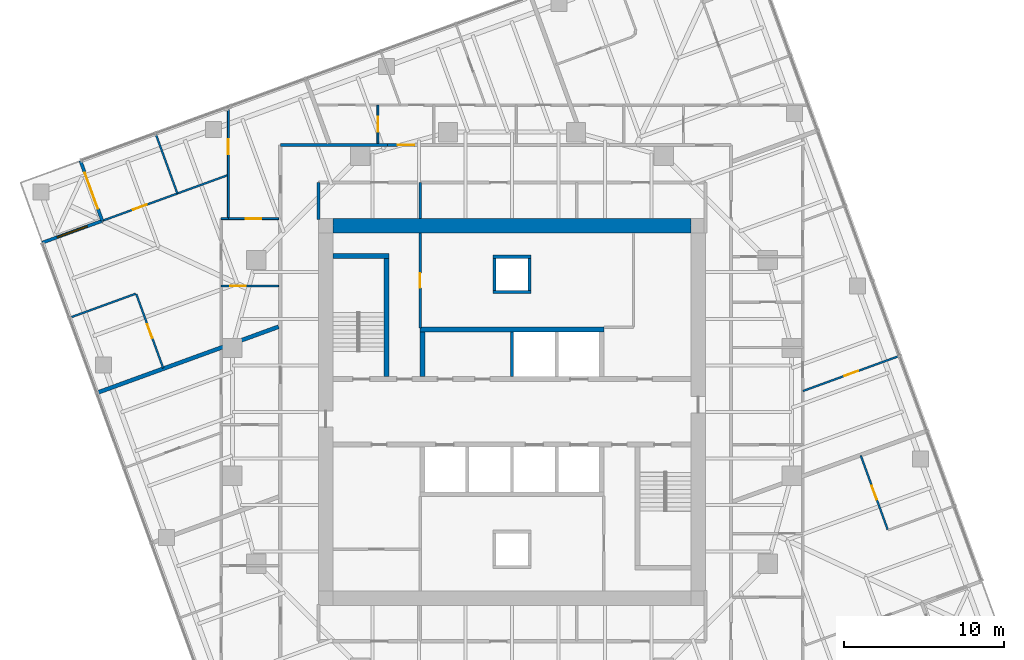
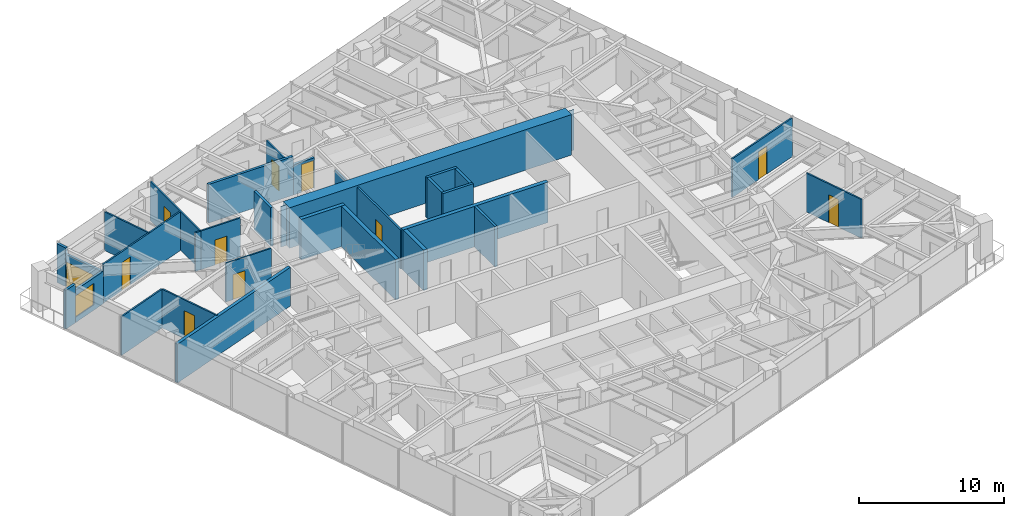
# One storey, part 10 of 13: 31 walls, 11 doors, 1 window, 12 openings.
"""IFC4 building model written with IfcOpenShell, lengths in metres."""

from ifc_helpers import new_model, si_unit, direction, frame, frame_2d, origin, place, context, subcontext, project, spatial, polyline, rectangle, outline, extrude, material, layer, layer_set, type_object, element, fill, save


model = new_model("IFC4")

# Units and contexts
model_context = context("Model", 3, precision=1e-05, world=origin(), true_north=direction((0.0, 1.0)))
body_context = subcontext(model_context, "Body", "Model", "MODEL_VIEW")
ifc_project = project(units=[si_unit("LENGTHUNIT", "METRE"), si_unit("AREAUNIT", "SQUARE_METRE"), si_unit("VOLUMEUNIT", "CUBIC_METRE"), si_unit("PLANEANGLEUNIT", "RADIAN"), si_unit("MASSUNIT", "GRAM", prefix="KILO")], contexts=[model_context])

# Site, building, storey
site_placement = place(None, origin())
site = spatial("IfcSite", under=ifc_project, at=site_placement, CompositionType="ELEMENT")
building_placement = place(site_placement, origin())
building = spatial("IfcBuilding", under=site, at=building_placement, Name="Torsade Residences", CompositionType="ELEMENT")
storey_placement = place(building_placement, frame((0.0, 0.0, 164.199951171875)))
storey = spatial("IfcBuildingStorey", under=building, at=storey_placement, Name="L45", CompositionType="ELEMENT", Elevation=164.199951171875)

# Walls
ifc_material_1 = material(Name="Concrete 80 MPa", Category="concrete")
ifc_layer_1 = layer(ifc_material_1, 0.300048828125)
ifc_layer_set_1 = layer_set([ifc_layer_1], Name="Concrete 80 MPa")
wall_type_1 = type_object("IfcWallType", Name="CORE INTERNAL WALL 300", PredefinedType="SHEAR", material=ifc_layer_set_1)
wall_1_placement = place(storey_placement, frame((34.25, 35.14990234375, 0.0), z_axis=(0.0, 0.0, 1.0), x_axis=(1.0, 0.0, 0.0)))
element("IfcWall", 1, at=wall_1_placement, inside=storey, type_object=wall_type_1, Name="Core wall BN L45", PredefinedType="SHEAR", context=body_context, shape_type="SweptSolid", body=[
    extrude(rectangle(XDim=11.5, YDim=0.300048828125, at=frame_2d((5.75, 0.0))), origin(), (0.0, 0.0, 1.0), 3.400146484375),
])
wall_2_placement = place(storey_placement, frame((34.39990234375, 32.199951171875, 0.0), z_axis=(0.0, 0.0, 1.0), x_axis=(0.0, 1.0, 0.0)))
element("IfcWall", 2, at=wall_2_placement, inside=storey, type_object=wall_type_1, Name="Core wall DN0 L45", PredefinedType="SHEAR", context=body_context, shape_type="SweptSolid", body=[
    extrude(rectangle(XDim=2.800048828125, YDim=0.300048828125, at=frame_2d((1.39990234375, 0.0))), origin(), (0.0, 0.0, 1.0), 3.400146484375),
])
wall_3_placement = place(storey_placement, frame((32.14990234375, 32.199951171875, 0.0), z_axis=(0.0, 0.0, 1.0), x_axis=(0.0, 1.0, 0.0)))
element("IfcWall", 3, at=wall_3_placement, inside=storey, type_object=wall_type_1, Name="Core wall ST1E L45", PredefinedType="SHEAR", context=body_context, shape_type="SweptSolid", body=[
    extrude(rectangle(XDim=7.699951171875, YDim=0.300048828125, at=frame_2d((3.85009765625, 0.0))), origin(), (0.0, 0.0, 1.0), 3.400146484375),
])
wall_4_placement = place(storey_placement, frame((28.800048828125, 39.75, 0.0), z_axis=(0.0, 0.0, 1.0), x_axis=(1.0, 0.0, 0.0)))
element("IfcWall", 4, at=wall_4_placement, inside=storey, type_object=wall_type_1, Name="Core wall ST1N L45", PredefinedType="SHEAR", context=body_context, shape_type="SweptSolid", body=[
    extrude(rectangle(XDim=3.5, YDim=0.300048828125, at=frame_2d((1.75, 0.0))), origin(), (0.0, 0.0, 1.0), 3.400146484375),
])
ifc_material_2 = material(Name="Concrete 80 MPa", Category="concrete")
ifc_layer_2 = layer(ifc_material_2, 0.89990234375)
ifc_layer_set_2 = layer_set([ifc_layer_2], Name="Concrete 80 MPa")
wall_type_2 = type_object("IfcWallType", Name="CORE WALL 900", PredefinedType="SHEAR", material=ifc_layer_set_2)
wall_5_placement = place(storey_placement, frame((28.800048828125, 41.64990234375, 0.0), z_axis=(0.0, 0.0, 1.0), x_axis=(1.0, 0.0, 0.0)))
element("IfcWall", 5, at=wall_5_placement, inside=storey, type_object=wall_type_2, Name="Core wall N L45", PredefinedType="SHEAR", context=body_context, shape_type="SweptSolid", body=[
    extrude(outline(polyline([(0.0, -0.449951171875), (22.39990234375, -0.449951171875), (22.39990234375, -0.02490234375), (22.849853515625, -0.02490234375), (22.849853515625, 0.02490234375), (22.39990234375, 0.02490234375), (22.39990234375, 0.449951171875), (0.0, 0.449951171875), (0.0, 0.02490234375), (-0.449951171875, 0.02490234375), (-0.449951171875, -0.02490234375), (0.0, -0.02490234375), (0.0, -0.449951171875)])), origin(), (0.0, 0.0, 1.0), 3.400146484375),
])

# Wall, opening, door
ifc_material_3 = material(Name="Plasterboard on steel stud", Category="steel")
ifc_layer_3 = layer(ifc_material_3, 0.199951171875)
ifc_layer_set_3 = layer_set([ifc_layer_3], Name="Plasterboard on steel stud")
wall_type_3 = type_object("IfcWallType", Name="CORRIDOR WALL 200", PredefinedType="PARTITIONING", material=ifc_layer_set_3)
wall_6_placement = place(storey_placement, frame((33.908447265625, 46.699951171875, 0.0), z_axis=(0.0, 0.0, 1.0), x_axis=(-1.0, 0.0, 0.0)))
wall_6 = element("IfcWall", 6, at=wall_6_placement, inside=storey, type_object=wall_type_3, Name="Corridor wall L45", PredefinedType="PARTITIONING", context=body_context, shape_type="SweptSolid", body=[
    extrude(rectangle(XDim=1.68359375, YDim=0.199951171875, at=frame_2d((0.841796875, 0.0))), origin(), (0.0, 0.0, 1.0), 2.550048828125),
])
opening_1_placement = place(wall_6_placement, frame((0.037841796875, 0.0, 0.0)))
opening_1 = element("IfcOpeningElement", 7, at=opening_1_placement, cuts=wall_6, Name="Opening D01", PredefinedType="OPENING", context=body_context, shape_type="SweptSolid", body=[
    extrude(rectangle(XDim=1.02001953125, YDim=2.340087890625, at=frame_2d((0.510009765625, 1.169921875))), frame((0.0, 0.10986328125, 0.0), z_axis=(0.0, -1.0, 0.0), x_axis=(1.0, 0.0, 0.0)), (0.0, 0.0, 1.0), 0.219970703125),
])
ifc_material_4 = material(Name="Solid-core timber fire door", Category="wood")
door_type_1 = type_object("IfcDoorType", Name="APARTMENT ENTRY DOOR 1020x2340", OperationType="NOTDEFINED", PredefinedType="DOOR", material=ifc_material_4)
door_1_placement = place(opening_1_placement, origin())
door_1 = element("IfcDoor", 8, at=door_1_placement, inside=storey, type_object=door_type_1, Name="Door Residential corridor to Kitchen and dining", OperationType="SINGLE_SWING_RIGHT", OverallHeight=2.340087890625, OverallWidth=1.02001953125, PredefinedType="DOOR", context=body_context, shape_type="SweptSolid", body=[
    extrude(rectangle(XDim=1.02001953125, YDim=2.340087890625, at=frame_2d((0.510009765625, 1.169921875))), frame((0.0, 0.02490234375, 0.0), z_axis=(0.0, -1.0, 0.0), x_axis=(1.0, 0.0, 0.0)), (0.0, 0.0, 1.0), 0.050048828125),
])
fill(opening_1, door_1)

# Walls
wall_7_placement = place(storey_placement, frame((32.224853515625, 46.699951171875, 0.0), z_axis=(0.0, 0.0, 1.0), x_axis=(-1.0, 0.0, 0.0)))
element("IfcWall", 9, at=wall_7_placement, inside=storey, type_object=wall_type_3, Name="Corridor wall L45", PredefinedType="PARTITIONING", context=body_context, shape_type="SweptSolid", body=[
    extrude(rectangle(XDim=6.724853515625, YDim=0.199951171875, at=frame_2d((3.3623046875, 0.0))), origin(), (0.0, 0.0, 1.0), 3.25),
])
wall_8_placement = place(storey_placement, frame((27.89990234375, 44.35009765625, 0.0), z_axis=(0.0, 0.0, 1.0), x_axis=(0.0, -1.0, 0.0)))
element("IfcWall", 10, at=wall_8_placement, inside=storey, type_object=wall_type_3, Name="Corridor wall L45", PredefinedType="PARTITIONING", context=body_context, shape_type="SweptSolid", body=[
    extrude(rectangle(XDim=2.300048828125, YDim=0.199951171875, at=frame_2d((1.14990234375, 0.0))), origin(), (0.0, 0.0, 1.0), 3.25),
])
ifc_material_5 = material(Name="Reinforced blockwork", Category="masonry")
ifc_layer_4 = layer(ifc_material_5, 0.199951171875)
ifc_layer_set_4 = layer_set([ifc_layer_4], Name="Reinforced blockwork")
wall_type_4 = type_object("IfcWallType", Name="LIFT SHAFT DIVIDING WALL 200", PredefinedType="SOLIDWALL", material=ifc_layer_set_4)
wall_9_placement = place(storey_placement, frame((40.0, 32.199951171875, 0.0), z_axis=(0.0, 0.0, 1.0), x_axis=(0.0, 1.0, 0.0)))
element("IfcWall", 11, at=wall_9_placement, inside=storey, type_object=wall_type_4, Name="Core wall DN2 L45", PredefinedType="SOLIDWALL", context=body_context, shape_type="SweptSolid", body=[
    extrude(rectangle(XDim=2.800048828125, YDim=0.199951171875, at=frame_2d((1.39990234375, 0.0))), origin(), (0.0, 0.0, 1.0), 3.400146484375),
])

# Wall, opening, door
ifc_material_6 = material(Name="Plasterboard on steel stud", Category="steel")
ifc_layer_5 = layer(ifc_material_6, 0.1201171875)
ifc_layer_set_5 = layer_set([ifc_layer_5], Name="Plasterboard on steel stud")
wall_type_5 = type_object("IfcWallType", Name="PARTITION 120", PredefinedType="PARTITIONING", material=ifc_layer_set_5)
wall_10_placement = place(storey_placement, frame((61.8203125, 27.268310546875, 0.0), z_axis=(0.0, 0.0, 1.0), x_axis=(0.342040652346, -0.93968515586, 0.0)))
wall_10 = element("IfcWall", 12, at=wall_10_placement, inside=storey, type_object=wall_type_5, Name="Partition L45", PredefinedType="PARTITIONING", context=body_context, shape_type="SweptSolid", body=[
    extrude(rectangle(XDim=4.93994140625, YDim=0.1201171875, at=frame_2d((2.469970703125, 0.0))), origin(), (0.0, 0.0, 1.0), 3.25),
])
opening_2_placement = place(wall_10_placement, frame((2.010009765625, 0.0, 0.0)))
opening_2 = element("IfcOpeningElement", 13, at=opening_2_placement, cuts=wall_10, Name="Opening D02", PredefinedType="OPENING", context=body_context, shape_type="SweptSolid", body=[
    extrude(rectangle(XDim=0.919921875, YDim=2.340087890625, at=frame_2d((0.4599609375, 1.169921875))), frame((0.0, 0.070068359375, 0.0), z_axis=(0.0, -1.0, 0.0), x_axis=(1.0, 0.0, 0.0)), (0.0, 0.0, 1.0), 0.14013671875),
])
ifc_material_7 = material(Name="Hollow-core timber door", Category="wood")
door_type_2 = type_object("IfcDoorType", Name="INTERNAL DOOR 920x2340", OperationType="NOTDEFINED", PredefinedType="DOOR", material=ifc_material_7)
door_2_placement = place(opening_2_placement, origin())
door_2 = element("IfcDoor", 14, at=door_2_placement, inside=storey, type_object=door_type_2, Name="Door Living room to Bedroom 1", OperationType="SINGLE_SWING_LEFT", OverallHeight=2.340087890625, OverallWidth=0.919921875, PredefinedType="DOOR", context=body_context, shape_type="SweptSolid", body=[
    extrude(rectangle(XDim=0.919921875, YDim=2.340087890625, at=frame_2d((0.4599609375, 1.169921875))), frame((0.0, 0.02490234375, 0.0), z_axis=(0.0, -1.0, 0.0), x_axis=(1.0, 0.0, 0.0)), (0.0, 0.0, 1.0), 0.050048828125),
])
fill(opening_2, door_2)

wall_11_placement = place(storey_placement, frame((64.22509765625, 33.496337890625, 0.0), z_axis=(0.0, 0.0, 1.0), x_axis=(-0.939697777766, -0.342005974306, 0.0)))
wall_11 = element("IfcWall", 15, at=wall_11_placement, inside=storey, type_object=wall_type_5, Name="Partition L45", PredefinedType="PARTITIONING", context=body_context, shape_type="SweptSolid", body=[
    extrude(rectangle(XDim=6.411865234375, YDim=0.1201171875, at=frame_2d((3.2060546875, 0.0))), origin(), (0.0, 0.0, 1.0), 3.25),
])
opening_3_placement = place(wall_11_placement, frame((2.725830078125, 0.0, 0.0)))
opening_3 = element("IfcOpeningElement", 16, at=opening_3_placement, cuts=wall_11, Name="Opening D02", PredefinedType="OPENING", context=body_context, shape_type="SweptSolid", body=[
    extrude(rectangle(XDim=0.919921875, YDim=2.340087890625, at=frame_2d((0.4599609375, 1.169921875))), frame((0.0, 0.070068359375, 0.0), z_axis=(0.0, -1.0, 0.0), x_axis=(1.0, 0.0, 0.0)), (0.0, 0.0, 1.0), 0.14013671875),
])
door_3_placement = place(opening_3_placement, origin())
door_3 = element("IfcDoor", 17, at=door_3_placement, inside=storey, type_object=door_type_2, Name="Door Living room to Bedroom 1", OperationType="SINGLE_SWING_RIGHT", OverallHeight=2.340087890625, OverallWidth=0.919921875, PredefinedType="DOOR", context=body_context, shape_type="SweptSolid", body=[
    extrude(rectangle(XDim=0.919921875, YDim=2.340087890625, at=frame_2d((0.4599609375, 1.169921875))), frame((0.0, 0.02490234375, 0.0), z_axis=(0.0, -1.0, 0.0), x_axis=(1.0, 0.0, 0.0)), (0.0, 0.0, 1.0), 0.050048828125),
])
fill(opening_3, door_3)

wall_12_placement = place(storey_placement, frame((31.61328125, 46.800048828125, 0.0), z_axis=(0.0, 0.0, 1.0), x_axis=(0.0, 1.0, 0.0)))
wall_12 = element("IfcWall", 18, at=wall_12_placement, inside=storey, type_object=wall_type_5, Name="Partition L45", PredefinedType="PARTITIONING", context=body_context, shape_type="SweptSolid", body=[
    extrude(rectangle(XDim=2.39990234375, YDim=0.1201171875, at=frame_2d((1.199951171875, 0.0))), origin(), (0.0, 0.0, 1.0), 3.25),
])
opening_4_placement = place(wall_12_placement, frame((0.719970703125, 0.0, 0.0)))
opening_4 = element("IfcOpeningElement", 19, at=opening_4_placement, cuts=wall_12, Name="Opening D05", PredefinedType="OPENING", context=body_context, shape_type="SweptSolid", body=[
    extrude(rectangle(XDim=0.9599609375, YDim=2.10009765625, at=frame_2d((0.47998046875, 1.050048828125))), frame((0.0, 0.070068359375, 0.0), z_axis=(0.0, -1.0, 0.0), x_axis=(1.0, 0.0, 0.0)), (0.0, 0.0, 1.0), 0.14013671875),
])
ifc_material_8 = material(Name="Hollow-core timber door in a steel cavity frame", Category="steel")
door_type_3 = type_object("IfcDoorType", Name="BATHROOM CAVITY SLIDING DOOR 960", OperationType="SLIDING_TO_LEFT", PredefinedType="DOOR", material=ifc_material_8)
door_4_placement = place(opening_4_placement, origin())
door_4 = element("IfcDoor", 20, at=door_4_placement, inside=storey, type_object=door_type_3, Name="Door Kitchen and dining to WC", OperationType="SLIDING_TO_LEFT", OverallHeight=2.10009765625, OverallWidth=0.9599609375, PredefinedType="DOOR", context=body_context, shape_type="SweptSolid", body=[
    extrude(rectangle(XDim=0.9599609375, YDim=2.10009765625, at=frame_2d((0.47998046875, 1.050048828125))), frame((0.0, 0.02490234375, 0.0), z_axis=(0.0, -1.0, 0.0), x_axis=(1.0, 0.0, 0.0)), (0.0, 0.0, 1.0), 0.050048828125),
])
fill(opening_4, door_4)

wall_13_placement = place(storey_placement, frame((25.39990234375, 42.090576171875, 0.0), z_axis=(0.0, 0.0, 1.0), x_axis=(-1.0, 0.0, 0.0)))
wall_13 = element("IfcWall", 21, at=wall_13_placement, inside=storey, type_object=wall_type_5, Name="Partition L45", PredefinedType="PARTITIONING", context=body_context, shape_type="SweptSolid", body=[
    extrude(rectangle(XDim=3.14990234375, YDim=0.1201171875, at=frame_2d((1.574951171875, 0.0))), origin(), (0.0, 0.0, 1.0), 3.25),
])
opening_5_placement = place(wall_13_placement, frame((1.094970703125, 0.0, 0.0)))
opening_5 = element("IfcOpeningElement", 22, at=opening_5_placement, cuts=wall_13, Name="Opening D05", PredefinedType="OPENING", context=body_context, shape_type="SweptSolid", body=[
    extrude(rectangle(XDim=0.9599609375, YDim=2.10009765625, at=frame_2d((0.47998046875, 1.050048828125))), frame((0.0, 0.070068359375, 0.0), z_axis=(0.0, -1.0, 0.0), x_axis=(1.0, 0.0, 0.0)), (0.0, 0.0, 1.0), 0.14013671875),
])
door_5_placement = place(opening_5_placement, origin())
door_5 = element("IfcDoor", 23, at=door_5_placement, inside=storey, type_object=door_type_3, Name="Door Kitchen and dining to Bathroom", OperationType="SLIDING_TO_LEFT", OverallHeight=2.10009765625, OverallWidth=0.9599609375, PredefinedType="DOOR", context=body_context, shape_type="SweptSolid", body=[
    extrude(rectangle(XDim=0.9599609375, YDim=2.10009765625, at=frame_2d((0.47998046875, 1.050048828125))), frame((0.0, 0.02490234375, 0.0), z_axis=(0.0, -1.0, 0.0), x_axis=(1.0, 0.0, 0.0)), (0.0, 0.0, 1.0), 0.050048828125),
])
fill(opening_5, door_5)

wall_14_placement = place(storey_placement, frame((22.25, 42.090576171875, 0.0), z_axis=(0.0, 0.0, 1.0), x_axis=(0.0, 1.0, 0.0)))
wall_14 = element("IfcWall", 24, at=wall_14_placement, inside=storey, type_object=wall_type_5, Name="Partition L45", PredefinedType="PARTITIONING", context=body_context, shape_type="SweptSolid", body=[
    extrude(rectangle(XDim=6.825439453125, YDim=0.1201171875, at=frame_2d((3.41259765625, 0.0))), origin(), (0.0, 0.0, 1.0), 3.25),
])
opening_6_placement = place(wall_14_placement, frame((4.03564453125, 0.0, 0.0)))
opening_6 = element("IfcOpeningElement", 25, at=opening_6_placement, cuts=wall_14, Name="Opening D02", PredefinedType="OPENING", context=body_context, shape_type="SweptSolid", body=[
    extrude(rectangle(XDim=0.919921875, YDim=2.340087890625, at=frame_2d((0.4599609375, 1.169921875))), frame((0.0, 0.070068359375, 0.0), z_axis=(0.0, -1.0, 0.0), x_axis=(1.0, 0.0, 0.0)), (0.0, 0.0, 1.0), 0.14013671875),
])
door_6_placement = place(opening_6_placement, origin())
door_6 = element("IfcDoor", 26, at=door_6_placement, inside=storey, type_object=door_type_2, Name="Door Kitchen and dining to Bedroom 3", OperationType="SINGLE_SWING_LEFT", OverallHeight=2.340087890625, OverallWidth=0.919921875, PredefinedType="DOOR", context=body_context, shape_type="SweptSolid", body=[
    extrude(rectangle(XDim=0.919921875, YDim=2.340087890625, at=frame_2d((0.4599609375, 1.169921875))), frame((0.0, 0.02490234375, 0.0), z_axis=(0.0, -1.0, 0.0), x_axis=(1.0, 0.0, 0.0)), (0.0, 0.0, 1.0), 0.050048828125),
])
fill(opening_6, door_6)

wall_15_placement = place(storey_placement, frame((25.39990234375, 37.87548828125, 0.0), z_axis=(0.0, 0.0, 1.0), x_axis=(-1.0, 0.0, 0.0)))
wall_15 = element("IfcWall", 27, at=wall_15_placement, inside=storey, type_object=wall_type_5, Name="Partition L45", PredefinedType="PARTITIONING", context=body_context, shape_type="SweptSolid", body=[
    extrude(rectangle(XDim=3.599853515625, YDim=0.1201171875, at=frame_2d((1.7998046875, 0.0))), origin(), (0.0, 0.0, 1.0), 3.25),
])
opening_7_placement = place(wall_15_placement, frame((2.070068359375, 0.0, 0.0)))
opening_7 = element("IfcOpeningElement", 28, at=opening_7_placement, cuts=wall_15, Name="Opening D05", PredefinedType="OPENING", context=body_context, shape_type="SweptSolid", body=[
    extrude(rectangle(XDim=0.9599609375, YDim=2.10009765625, at=frame_2d((0.47998046875, 1.050048828125))), frame((0.0, 0.070068359375, 0.0), z_axis=(0.0, -1.0, 0.0), x_axis=(1.0, 0.0, 0.0)), (0.0, 0.0, 1.0), 0.14013671875),
])
door_7_placement = place(opening_7_placement, origin())
door_7 = element("IfcDoor", 29, at=door_7_placement, inside=storey, type_object=door_type_3, Name="Door Bathroom to Ensuite", OperationType="SLIDING_TO_LEFT", OverallHeight=2.10009765625, OverallWidth=0.9599609375, PredefinedType="DOOR", context=body_context, shape_type="SweptSolid", body=[
    extrude(rectangle(XDim=0.9599609375, YDim=2.10009765625, at=frame_2d((0.47998046875, 1.050048828125))), frame((0.0, 0.02490234375, 0.0), z_axis=(0.0, -1.0, 0.0), x_axis=(1.0, 0.0, 0.0)), (0.0, 0.0, 1.0), 0.050048828125),
])
fill(opening_7, door_7)

wall_16_placement = place(storey_placement, frame((18.1796875, 32.731689453125, 0.0), z_axis=(0.0, 0.0, 1.0), x_axis=(-0.342040652346, 0.93968515586, 0.0)))
wall_16 = element("IfcWall", 30, at=wall_16_placement, inside=storey, type_object=wall_type_5, Name="Partition L45", PredefinedType="PARTITIONING", context=body_context, shape_type="SweptSolid", body=[
    extrude(rectangle(XDim=4.93994140625, YDim=0.1201171875, at=frame_2d((2.469970703125, 0.0))), origin(), (0.0, 0.0, 1.0), 3.25),
])
opening_8_placement = place(wall_16_placement, frame((2.010009765625, 0.0, 0.0)))
opening_8 = element("IfcOpeningElement", 31, at=opening_8_placement, cuts=wall_16, Name="Opening D02", PredefinedType="OPENING", context=body_context, shape_type="SweptSolid", body=[
    extrude(rectangle(XDim=0.919921875, YDim=2.340087890625, at=frame_2d((0.4599609375, 1.169921875))), frame((0.0, 0.070068359375, 0.0), z_axis=(0.0, -1.0, 0.0), x_axis=(1.0, 0.0, 0.0)), (0.0, 0.0, 1.0), 0.14013671875),
])
door_8_placement = place(opening_8_placement, origin())
door_8 = element("IfcDoor", 32, at=door_8_placement, inside=storey, type_object=door_type_2, Name="Door Living room to Bedroom 1", OperationType="SINGLE_SWING_LEFT", OverallHeight=2.340087890625, OverallWidth=0.919921875, PredefinedType="DOOR", context=body_context, shape_type="SweptSolid", body=[
    extrude(rectangle(XDim=0.919921875, YDim=2.340087890625, at=frame_2d((0.4599609375, 1.169921875))), frame((0.0, 0.02490234375, 0.0), z_axis=(0.0, -1.0, 0.0), x_axis=(1.0, 0.0, 0.0)), (0.0, 0.0, 1.0), 0.050048828125),
])
fill(opening_8, door_8)

# Wall
wall_17_placement = place(storey_placement, frame((16.45166015625, 37.391845703125, 0.0), z_axis=(0.0, 0.0, 1.0), x_axis=(-0.939688742362, -0.34203079902, 0.0)))
element("IfcWall", 33, at=wall_17_placement, inside=storey, type_object=wall_type_5, Name="Partition L45", PredefinedType="PARTITIONING", context=body_context, shape_type="SweptSolid", body=[
    extrude(rectangle(XDim=4.35986328125, YDim=0.1201171875, at=frame_2d((2.179931640625, 0.0))), origin(), (0.0, 0.0, 1.0), 3.25),
])

# Wall, opening, door
wall_18_placement = place(storey_placement, frame((14.4033203125, 41.967041015625, 0.0), z_axis=(0.0, 0.0, 1.0), x_axis=(0.939687825336, 0.342033318427, 0.0)))
wall_18 = element("IfcWall", 34, at=wall_18_placement, inside=storey, type_object=wall_type_5, Name="Partition L45", PredefinedType="PARTITIONING", context=body_context, shape_type="SweptSolid", body=[
    extrude(rectangle(XDim=8.306396484375, YDim=0.1201171875, at=frame_2d((4.1533203125, 0.0))), origin(), (0.0, 0.0, 1.0), 3.25),
])
opening_9_placement = place(wall_18_placement, frame((2.0, 0.0, 0.0)))
opening_9 = element("IfcOpeningElement", 35, at=opening_9_placement, cuts=wall_18, Name="Opening D02", PredefinedType="OPENING", context=body_context, shape_type="SweptSolid", body=[
    extrude(rectangle(XDim=0.919921875, YDim=2.340087890625, at=frame_2d((0.4599609375, 1.169921875))), frame((0.0, 0.070068359375, 0.0), z_axis=(0.0, -1.0, 0.0), x_axis=(1.0, 0.0, 0.0)), (0.0, 0.0, 1.0), 0.14013671875),
])
door_9_placement = place(opening_9_placement, origin())
door_9 = element("IfcDoor", 36, at=door_9_placement, inside=storey, type_object=door_type_2, Name="Door Living room to Bedroom 2", OperationType="SINGLE_SWING_RIGHT", OverallHeight=2.340087890625, OverallWidth=0.919921875, PredefinedType="DOOR", context=body_context, shape_type="SweptSolid", body=[
    extrude(rectangle(XDim=0.919921875, YDim=2.340087890625, at=frame_2d((0.4599609375, 1.169921875))), frame((0.0, 0.02490234375, 0.0), z_axis=(0.0, -1.0, 0.0), x_axis=(1.0, 0.0, 0.0)), (0.0, 0.0, 1.0), 0.050048828125),
])
fill(opening_9, door_9)

# Walls
wall_19_placement = place(storey_placement, frame((17.709716796875, 47.384765625, 0.0), z_axis=(0.0, 0.0, 1.0), x_axis=(0.342040051101, -0.939685374709, 0.0)))
element("IfcWall", 37, at=wall_19_placement, inside=storey, type_object=wall_type_5, Name="Partition L45", PredefinedType="PARTITIONING", context=body_context, shape_type="SweptSolid", body=[
    extrude(rectangle(XDim=3.9599609375, YDim=0.1201171875, at=frame_2d((1.97998046875, 0.0))), origin(), (0.0, 0.0, 1.0), 3.25),
])
wall_20_placement = place(storey_placement, frame((21.800048828125, 42.090576171875, 0.0), z_axis=(0.0, 0.0, 1.0), x_axis=(1.0, 0.0, 0.0)))
element("IfcWall", 38, at=wall_20_placement, inside=storey, type_object=wall_type_5, Name="Partition L45", PredefinedType="PARTITIONING", context=body_context, shape_type="SweptSolid", body=[
    extrude(rectangle(XDim=0.449951171875, YDim=0.1201171875, at=frame_2d((0.22509765625, 0.0))), origin(), (0.0, 0.0, 1.0), 3.25),
])
ifc_material_9 = material(Name="Masonry-lined stud party wall", Category="masonry")
ifc_layer_6 = layer(ifc_material_9, 0.25)
ifc_layer_set_6 = layer_set([ifc_layer_6], Name="Masonry-lined stud party wall")
wall_type_6 = type_object("IfcWallType", Name="PARTY WALL 250", PredefinedType="PARTITIONING", material=ifc_layer_set_6)
wall_21_placement = place(storey_placement, frame((14.027099609375, 31.1884765625, 0.0), z_axis=(0.0, 0.0, 1.0), x_axis=(0.939693801585, 0.342016899091, 0.0)))
element("IfcWall", 39, at=wall_21_placement, inside=storey, type_object=wall_type_6, Name="Party wall L45", PredefinedType="PARTITIONING", context=body_context, shape_type="SweptSolid", body=[
    extrude(rectangle(XDim=12.09716796875, YDim=0.25, at=frame_2d((6.048583984375, 0.0))), origin(), (0.0, 0.0, 1.0), 3.25),
])
ifc_material_10 = material(Name="Reinforced blockwork", Category="masonry")
ifc_layer_7 = layer(ifc_material_10, 0.199951171875)
ifc_layer_set_7 = layer_set([ifc_layer_7], Name="Reinforced blockwork")
wall_type_7 = type_object("IfcWallType", Name="RISER SHAFT WALL 200", PredefinedType="SOLIDWALL", material=ifc_layer_set_7)
for number, where, z_axis, x_axis, name in (
    (40, (38.89990234375, 37.60009765625, 0.0), (0.0, 0.0, 1.0), (0.0, 1.0, 0.0), "Core wall RS1a L45"),
    (41, (41.10009765625, 37.60009765625, 0.0), (0.0, 0.0, 1.0), (0.0, 1.0, 0.0), "Core wall RS1b L45"),
):
    element("IfcWall", number, at=place(storey_placement, frame(where, z_axis=z_axis, x_axis=x_axis)), inside=storey, type_object=wall_type_7, Name=name, PredefinedType="SOLIDWALL", context=body_context, shape_type="SweptSolid", body=[
        extrude(rectangle(XDim=2.0, YDim=0.199951171875, at=frame_2d((1.0, 0.0))), origin(), (0.0, 0.0, 1.0), 3.400146484375),
    ])
for number, where, z_axis, x_axis, name in (
    (42, (38.800048828125, 37.5, 0.0), (0.0, 0.0, 1.0), (1.0, 0.0, 0.0), "Core wall RS1c L45"),
    (43, (38.800048828125, 39.699951171875, 0.0), (0.0, 0.0, 1.0), (1.0, 0.0, 0.0), "Core wall RS1d L45"),
):
    element("IfcWall", number, at=place(storey_placement, frame(where, z_axis=z_axis, x_axis=x_axis)), inside=storey, type_object=wall_type_7, Name=name, PredefinedType="SOLIDWALL", context=body_context, shape_type="SweptSolid", body=[
        extrude(rectangle(XDim=2.39990234375, YDim=0.199951171875, at=frame_2d((1.199951171875, 0.0))), origin(), (0.0, 0.0, 1.0), 3.400146484375),
    ])

# Wall, opening, door
ifc_material_11 = material(Name="Reinforced blockwork", Category="masonry")
ifc_layer_8 = layer(ifc_material_11, 0.14990234375)
ifc_layer_set_8 = layer_set([ifc_layer_8], Name="Reinforced blockwork")
wall_type_8 = type_object("IfcWallType", Name="SERVICE ROOM WALL 150", PredefinedType="SOLIDWALL", material=ifc_layer_set_8)
wall_22_placement = place(storey_placement, frame((34.25, 41.199951171875, 0.0), z_axis=(0.0, 0.0, 1.0), x_axis=(0.0, -1.0, 0.0)))
wall_22 = element("IfcWall", 44, at=wall_22_placement, inside=storey, type_object=wall_type_8, Name="Service room wall L45", PredefinedType="SOLIDWALL", context=body_context, shape_type="SweptSolid", body=[
    extrude(rectangle(XDim=5.949951171875, YDim=0.14990234375, at=frame_2d((2.97509765625, 0.0))), origin(), (0.0, 0.0, 1.0), 3.25),
])
opening_10_placement = place(wall_22_placement, frame((2.514892578125, 0.0, 0.0)))
opening_10 = element("IfcOpeningElement", 45, at=opening_10_placement, cuts=wall_22, Name="Opening D06", PredefinedType="OPENING", context=body_context, shape_type="SweptSolid", body=[
    extrude(rectangle(XDim=0.919921875, YDim=2.10009765625, at=frame_2d((0.4599609375, 1.050048828125))), frame((0.0, 0.0849609375, 0.0), z_axis=(0.0, -1.0, 0.0), x_axis=(1.0, 0.0, 0.0)), (0.0, 0.0, 1.0), 0.169921875),
])
ifc_material_12 = material(Name="Steel-framed fire door", Category="steel")
door_type_4 = type_object("IfcDoorType", Name="FIRE DOOR 920", OperationType="NOTDEFINED", PredefinedType="DOOR", material=ifc_material_12)
door_10_placement = place(opening_10_placement, origin())
door_10 = element("IfcDoor", 46, at=door_10_placement, inside=storey, type_object=door_type_4, Name="Door Meter store to Electrical riser room", OperationType="SINGLE_SWING_RIGHT", OverallHeight=2.10009765625, OverallWidth=0.919921875, PredefinedType="DOOR", context=body_context, shape_type="SweptSolid", body=[
    extrude(rectangle(XDim=0.919921875, YDim=2.10009765625, at=frame_2d((0.4599609375, 1.050048828125))), frame((0.0, 0.02490234375, 0.0), z_axis=(0.0, -1.0, 0.0), x_axis=(1.0, 0.0, 0.0)), (0.0, 0.0, 1.0), 0.050048828125),
])
fill(opening_10, door_10)

# Walls
wall_23_placement = place(storey_placement, frame((34.2646484375, 42.10009765625, 0.0), z_axis=(0.0, 0.0, 1.0), x_axis=(0.0, 1.0, 0.0)))
element("IfcWall", 47, at=wall_23_placement, inside=storey, type_object=wall_type_8, Name="Service room wall L45", PredefinedType="SOLIDWALL", context=body_context, shape_type="SweptSolid", body=[
    extrude(rectangle(XDim=2.25, YDim=0.14990234375, at=frame_2d((1.125, 0.0))), origin(), (0.0, 0.0, 1.0), 2.796142578125),
])
ifc_material_13 = material(Name="Stone-faced precast concrete 40 MPa panel", Category="masonry")
ifc_layer_9 = layer(ifc_material_13, 0.199951171875)
ifc_layer_set_9 = layer_set([ifc_layer_9], Name="Stone-faced precast concrete 40 MPa panel")
wall_type_9 = type_object("IfcWallType", Name="TERRACE WALL 200", PredefinedType="SOLIDWALL", material=ifc_layer_set_9)
wall_24_placement = place(storey_placement, frame((12.99755859375, 45.712158203125, 0.0), z_axis=(0.0, 0.0, 1.0), x_axis=(0.342110593602, -0.939659694648, 0.0)))
element("IfcWall", 48, at=wall_24_placement, inside=storey, type_object=wall_type_9, Name="Terrace wall L45 8", PredefinedType="SOLIDWALL", context=body_context, shape_type="SweptSolid", body=[
    extrude(rectangle(XDim=0.800048828125, YDim=0.199951171875, at=frame_2d((0.39990234375, 0.0))), origin(), (0.0, 0.0, 1.0), 3.25),
])

# Wall, opening, door
wall_25_placement = place(storey_placement, frame((13.271240234375, 44.96044921875, 0.0), z_axis=(0.0, 0.0, 1.0), x_axis=(0.342018703306, -0.939693144909, 0.0)))
wall_25 = element("IfcWall", 49, at=wall_25_placement, inside=storey, type_object=wall_type_9, Name="Terrace wall L45 8", PredefinedType="SOLIDWALL", context=body_context, shape_type="SweptSolid", body=[
    extrude(rectangle(XDim=3.199951171875, YDim=0.199951171875, at=frame_2d((1.60009765625, 0.0))), origin(), (0.0, 0.0, 1.0), 2.72216796875),
])
opening_11_placement = place(wall_25_placement, origin())
opening_11 = element("IfcOpeningElement", 50, at=opening_11_placement, cuts=wall_25, Name="Opening D10A", PredefinedType="OPENING", context=body_context, shape_type="SweptSolid", body=[
    extrude(rectangle(XDim=2.39990234375, YDim=2.10009765625, at=frame_2d((1.199951171875, 1.050048828125))), frame((0.0, 0.10986328125, 0.0), z_axis=(0.0, -1.0, 0.0), x_axis=(1.0, 0.0, 0.0)), (0.0, 0.0, 1.0), 0.219970703125),
])
ifc_material_14 = material(Name="Aluminium-framed glass door", Category="aluminium")
door_type_5 = type_object("IfcDoorType", Name="TERRACE SLIDING DOOR 2400x2100", OperationType="SLIDING_TO_LEFT", PredefinedType="DOOR", material=ifc_material_14)
door_11_placement = place(opening_11_placement, origin())
door_11 = element("IfcDoor", 51, at=door_11_placement, inside=storey, type_object=door_type_5, Name="Terrace door L45 8", OperationType="SLIDING_TO_LEFT", OverallHeight=2.10009765625, OverallWidth=2.39990234375, PredefinedType="DOOR", context=body_context, shape_type="SweptSolid", body=[
    extrude(rectangle(XDim=2.39990234375, YDim=2.10009765625, at=frame_2d((1.199951171875, 1.050048828125))), frame((0.0, 0.02490234375, 0.0), z_axis=(0.0, -1.0, 0.0), x_axis=(1.0, 0.0, 0.0)), (0.0, 0.0, 1.0), 0.050048828125),
])
fill(opening_11, door_11)

# Wall, opening, window
wall_26_placement = place(storey_placement, frame((14.36572265625, 41.953369140625, 0.0), z_axis=(0.0, 0.0, 1.0), x_axis=(-0.939712609717, -0.341965219194, 0.0)))
wall_26 = element("IfcWall", 52, at=wall_26_placement, inside=storey, type_object=wall_type_9, Name="Terrace wall L45 9", PredefinedType="SOLIDWALL", context=body_context, shape_type="SweptSolid", body=[
    extrude(rectangle(XDim=3.0, YDim=0.199951171875, at=frame_2d((1.5, 0.0))), origin(), (0.0, 0.0, 1.0), 2.72216796875),
])
opening_12_placement = place(wall_26_placement, frame((1.0, 0.0, 0.449951171875)))
opening_12 = element("IfcOpeningElement", 53, at=opening_12_placement, cuts=wall_26, Name="Opening W1B", PredefinedType="OPENING", context=body_context, shape_type="SweptSolid", body=[
    extrude(rectangle(XDim=2.0, YDim=1.800048828125, at=frame_2d((1.0, 0.89990234375))), frame((0.0, 0.10986328125, 0.0), z_axis=(0.0, -1.0, 0.0), x_axis=(1.0, 0.0, 0.0)), (0.0, 0.0, 1.0), 0.219970703125),
])
ifc_material_15 = material(Name="Aluminium-framed glass window", Category="aluminium")
window_type = type_object("IfcWindowType", Name="TERRACE WINDOW 2000x1800", PartitioningType="SINGLE_PANEL", PredefinedType="WINDOW", material=ifc_material_15)
window_placement = place(opening_12_placement, origin())
window = element("IfcWindow", 54, at=window_placement, inside=storey, type_object=window_type, Name="Terrace window L45 9", OverallHeight=1.800048828125, OverallWidth=2.0, PartitioningType="SINGLE_PANEL", PredefinedType="WINDOW", context=body_context, shape_type="SweptSolid", body=[
    extrude(rectangle(XDim=2.0, YDim=1.800048828125, at=frame_2d((1.0, 0.89990234375))), frame((0.0, 0.030029296875, 0.0), z_axis=(0.0, -1.0, 0.0), x_axis=(1.0, 0.0, 0.0)), (0.0, 0.0, 1.0), 0.06005859375),
])
fill(opening_12, window)

# Wall
wall_27_placement = place(storey_placement, frame((11.546630859375, 40.927490234375, 0.0), z_axis=(0.0, 0.0, 1.0), x_axis=(-0.939686455819, -0.342037080957, 0.0)))
element("IfcWall", 55, at=wall_27_placement, inside=storey, type_object=wall_type_9, Name="Terrace wall L45 9", PredefinedType="SOLIDWALL", context=body_context, shape_type="SweptSolid", body=[
    extrude(rectangle(XDim=1.0, YDim=0.199951171875, at=frame_2d((0.5, 0.0))), origin(), (0.0, 0.0, 1.0), 3.25),
])

save(model, "model.ifc")
